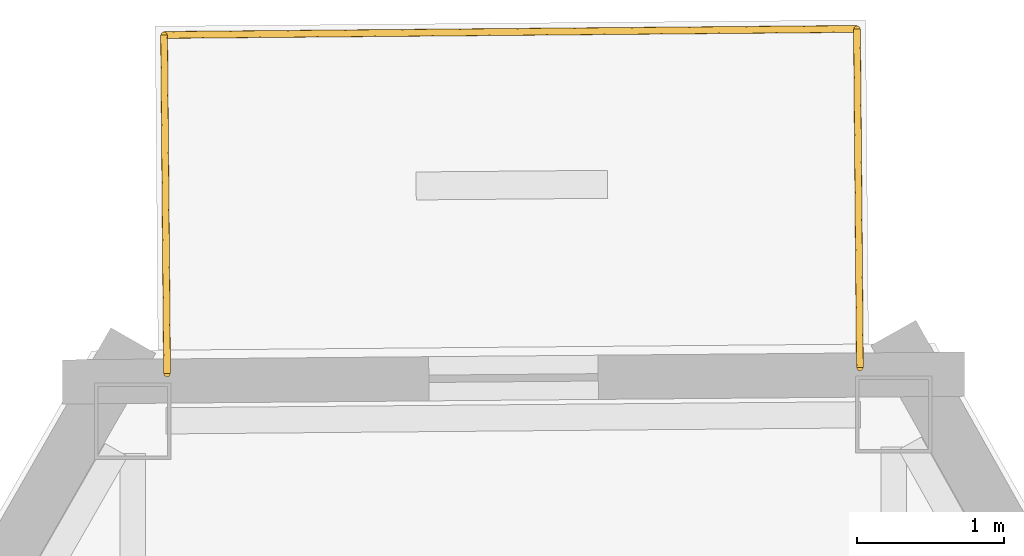
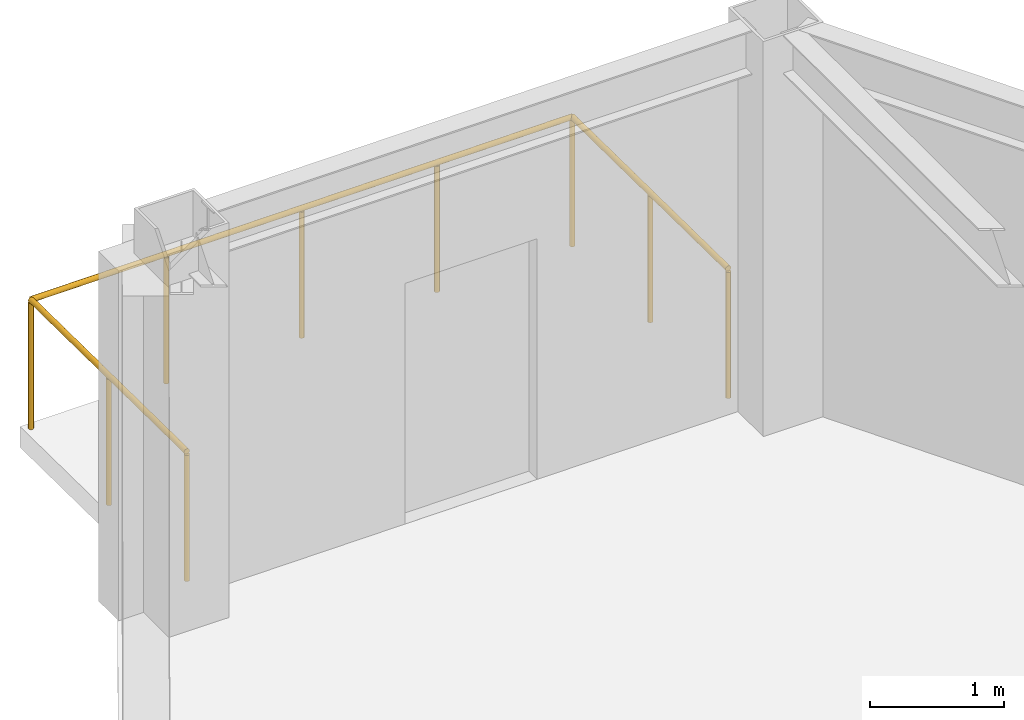
# One storey, part 11 of 11: 3 railings.
"""IFC4 building model written with IfcOpenShell, lengths in metres."""

from ifc_helpers import new_model, si_unit, direction, frame, origin, origin_2d, place, context, subcontext, project, spatial, circle, extrude, material, type_object, element, save


model = new_model("IFC4")

# Units and contexts
model_context = context("Model", 3, precision=1e-05, world=origin(), true_north=direction((0.0, 1.0)))
body_context = subcontext(model_context, "Body", "Model", "MODEL_VIEW")
ifc_project = project(units=[si_unit("LENGTHUNIT", "METRE"), si_unit("AREAUNIT", "SQUARE_METRE"), si_unit("VOLUMEUNIT", "CUBIC_METRE"), si_unit("PLANEANGLEUNIT", "RADIAN"), si_unit("MASSUNIT", "GRAM", prefix="KILO")], contexts=[model_context])

# Site, building, storey
site_placement = place(None, origin())
site = spatial("IfcSite", under=ifc_project, at=site_placement, CompositionType="ELEMENT")
building_placement = place(site_placement, origin())
building = spatial("IfcBuilding", under=site, at=building_placement, Name="Kavelnor Concourse Tower", CompositionType="ELEMENT")
storey_placement = place(building_placement, frame((0.0, 0.0, 297.25)))
storey = spatial("IfcBuildingStorey", under=building, at=storey_placement, Name="L75", CompositionType="ELEMENT", Elevation=297.25)

# Railings
ifc_material = material(Name="Architectural bronze-anodised aluminium", Category="aluminium")
railing_type = type_object("IfcRailingType", Name="RLG-TERRACE-1200", PredefinedType="BALUSTRADE", material=ifc_material)
railing_1_placement = place(storey_placement, frame((40.310302734375, 44.493408203125, 0.0)))
element("IfcRailing", 1, at=railing_1_placement, inside=storey, type_object=railing_type, Name="L75 Spiral Terrace Guardrail L", PredefinedType="BALUSTRADE", context=body_context, shape_type="SweptSolid", body=[
    extrude(circle(Radius=0.02392578125, at=origin_2d()), frame((0.0, 0.0, 1.17578125), z_axis=(-0.008703629558, 0.999962122699, 0.0), x_axis=(-0.999962122699, -0.008703629558, 0.0)), (0.0, 0.0, 1.0), 2.300048828125),
    extrude(circle(Radius=0.02099609375, at=origin_2d()), origin(), (0.0, 0.0, 1.0), 1.15185546875),
    extrude(circle(Radius=0.02099609375, at=origin_2d()), frame((-0.010009765625, 1.14990234375, 0.0)), (0.0, 0.0, 1.0), 1.15185546875),
    extrude(circle(Radius=0.02099609375, at=origin_2d()), frame((-0.02001953125, 2.300048828125, 0.0)), (0.0, 0.0, 1.0), 1.15185546875),
])
railing_2_placement = place(storey_placement, frame((40.290283203125, 46.79345703125, 0.0)))
element("IfcRailing", 2, at=railing_2_placement, inside=storey, type_object=railing_type, Name="L75 Spiral Terrace Guardrail F", PredefinedType="BALUSTRADE", context=body_context, shape_type="SweptSolid", body=[
    extrude(circle(Radius=0.02392578125, at=origin_2d()), frame((0.0, 0.0, 1.17578125), z_axis=(-0.999961990642, -0.008718788376, 0.0), x_axis=(0.008718788376, -0.999961990642, 0.0)), (0.0, 0.0, 1.0), 4.704345703125),
    extrude(circle(Radius=0.02099609375, at=origin_2d()), origin(), (0.0, 0.0, 1.0), 1.15185546875),
    extrude(circle(Radius=0.02099609375, at=origin_2d()), frame((-1.176025390625, -0.01025390625, 0.0)), (0.0, 0.0, 1.0), 1.15185546875),
    extrude(circle(Radius=0.02099609375, at=origin_2d()), frame((-2.35205078125, -0.0205078125, 0.0)), (0.0, 0.0, 1.0), 1.15185546875),
    extrude(circle(Radius=0.02099609375, at=origin_2d()), frame((-3.528076171875, -0.03076171875, 0.0)), (0.0, 0.0, 1.0), 1.15185546875),
    extrude(circle(Radius=0.02099609375, at=origin_2d()), frame((-4.7041015625, -0.041015625, 0.0)), (0.0, 0.0, 1.0), 1.15185546875),
])
railing_3_placement = place(storey_placement, frame((35.586181640625, 46.75244140625, 0.0)))
element("IfcRailing", 3, at=railing_3_placement, inside=storey, type_object=railing_type, Name="L75 Spiral Terrace Guardrail R", PredefinedType="BALUSTRADE", context=body_context, shape_type="SweptSolid", body=[
    extrude(circle(Radius=0.02392578125, at=origin_2d()), frame((0.0, 0.0, 1.17578125), z_axis=(0.00870455344, -0.999962114657, 0.0), x_axis=(0.999962114657, 0.00870455344, 0.0)), (0.0, 0.0, 1.0), 2.2998046875),
    extrude(circle(Radius=0.02099609375, at=origin_2d()), origin(), (0.0, 0.0, 1.0), 1.15185546875),
    extrude(circle(Radius=0.02099609375, at=origin_2d()), frame((0.010009765625, -1.14990234375, 0.0)), (0.0, 0.0, 1.0), 1.15185546875),
    extrude(circle(Radius=0.02099609375, at=origin_2d()), frame((0.02001953125, -2.2998046875, 0.0)), (0.0, 0.0, 1.0), 1.15185546875),
])

save(model, "model.ifc")
